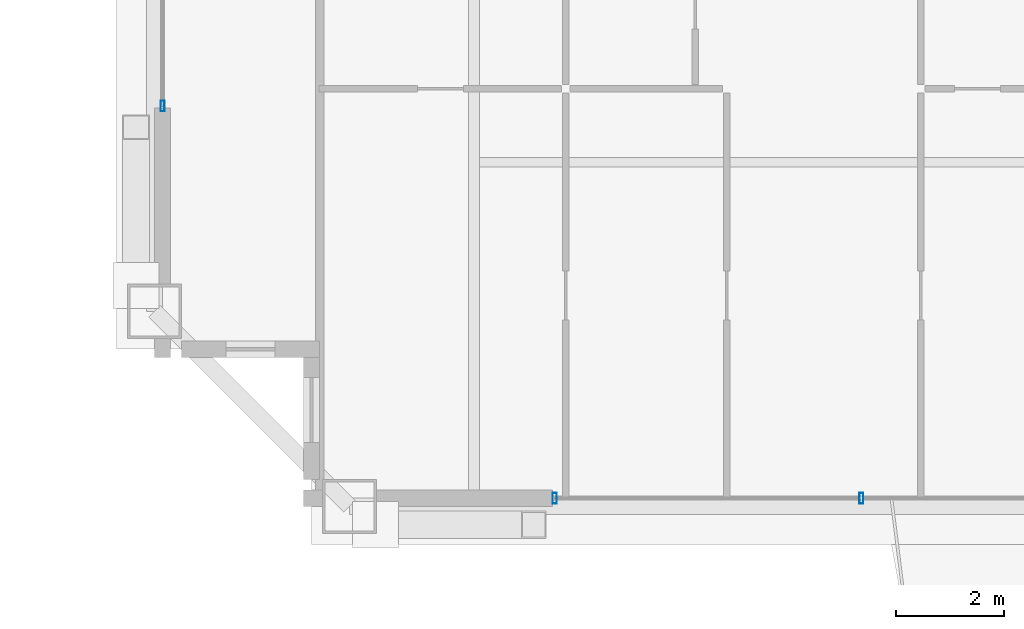
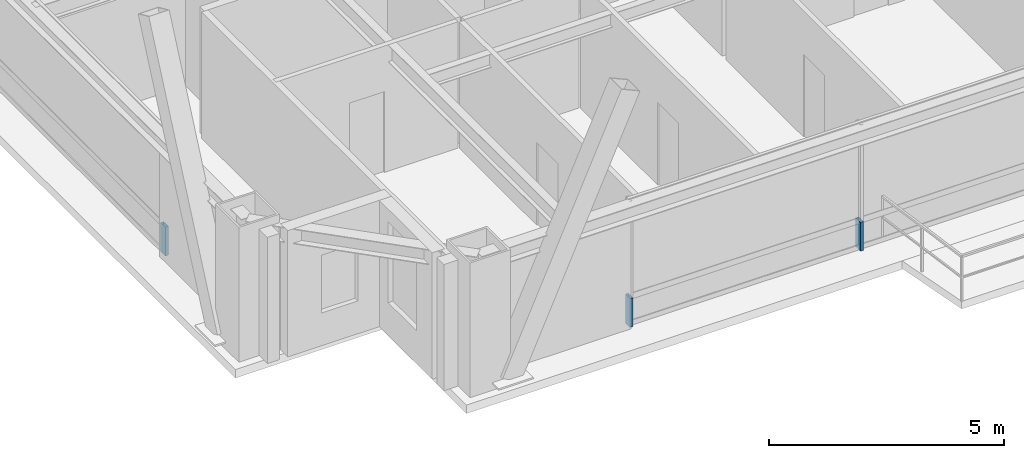
# One storey, part 19 of 33: 3 members, 2 elements without a shape of their own.
"""IFC4 building model written with IfcOpenShell, lengths in metres."""

from ifc_helpers import new_model, si_unit, direction, frame, origin, origin_2d, place, context, subcontext, project, spatial, hollow_rectangle, extrude, source, transform, mapped, material, layer, layer_set, material_profile, profile_set, type_object, element, aggregate, save


model = new_model("IFC4")

# Units and contexts
model_context = context("Model", 3, precision=1e-05, world=origin(), true_north=direction((0.0, 1.0)))
body_context = subcontext(model_context, "Body", "Model", "MODEL_VIEW")
ifc_project = project(units=[si_unit("LENGTHUNIT", "METRE"), si_unit("AREAUNIT", "SQUARE_METRE"), si_unit("VOLUMEUNIT", "CUBIC_METRE"), si_unit("PLANEANGLEUNIT", "RADIAN"), si_unit("MASSUNIT", "GRAM", prefix="KILO"), si_unit("THERMODYNAMICTEMPERATUREUNIT", "KELVIN"), si_unit("POWERUNIT", "WATT")], contexts=[model_context])

# Site, building, storey
site_placement = place(None, origin())
site = spatial("IfcSite", under=ifc_project, at=site_placement, CompositionType="ELEMENT")
building_placement = place(site_placement, origin())
building = spatial("IfcBuilding", under=site, at=building_placement, Name="Yuzanri Waterfront Tower", CompositionType="ELEMENT")
storey_placement = place(building_placement, frame((0.0, 0.0, 321.699951171875)))
storey = spatial("IfcBuildingStorey", under=building, at=storey_placement, Name="L86", CompositionType="ELEMENT", Elevation=321.699951171875)

# Curtain wall, members
ifc_material_1 = material(Name="Anodized Architectural Bronze", Category="metal")
ifc_layer = layer(ifc_material_1, 0.159912109375)
ifc_layer_set = layer_set([ifc_layer], Name="Anodized Architectural Bronze")
curtain_wall_type = type_object("IfcCurtainWallType", Name="Anodized Bronze High-Rise Penthouse High-Wind Unitized Curtain Wall 6900", PredefinedType="NOTDEFINED", material=ifc_layer_set)
curtain_wall_1_placement = place(storey_placement, origin())
curtain_wall_1 = element("IfcCurtainWall", 1, at=curtain_wall_1_placement, inside=storey, type_object=curtain_wall_type, Name="L86 Curtain Wall CW-L86-SL", PredefinedType="NOTDEFINED")
ifc_material_2 = material(Name="Anodized Architectural Bronze", Category="metal")
ifc_material_profile = material_profile(ifc_material_2, hollow_rectangle(XDim=0.074951171875, YDim=0.199951171875, WallThickness=0.00390625, at=origin_2d()), Name="CWM 75x200")
ifc_profile_set = profile_set([ifc_material_profile], Name="Anodized Architectural Bronze")
member_type = type_object("IfcMemberType", Name="Anodized Bronze Primary Curtain-Wall Mullion 75x200", PredefinedType="MULLION", material=ifc_profile_set)
shared_shape = source(origin(), body_context, "Body", "SweptSolid", [
    extrude(hollow_rectangle(XDim=0.074951171875, YDim=0.199951171875, WallThickness=0.00390625, at=origin_2d()), origin(), (0.0, 0.0, 1.0), 0.751953125),
])
member_1_placement = place(storey_placement, frame((25.2900390625, 6.85009765625, 0.0), z_axis=(0.0, 0.0, 1.0), x_axis=(1.0, 0.0, 0.0)))
member_1 = element("IfcMember", 2, at=member_1_placement, type_object=member_type, Name="CW-L86-SL Lower Mullion 00", PredefinedType="MULLION", context=body_context, shape_type="MappedRepresentation", body=[
    mapped(shared_shape, transform((0.0, 0.0, 0.0), scale=1.0)),
])
member_2_placement = place(storey_placement, frame((30.949951171875, 6.85009765625, 0.0), z_axis=(0.0, 0.0, 1.0), x_axis=(1.0, 0.0, 0.0)))
member_2 = element("IfcMember", 3, at=member_2_placement, type_object=member_type, Name="CW-L86-SL Lower Mullion 01", PredefinedType="MULLION", context=body_context, shape_type="MappedRepresentation", body=[
    mapped(shared_shape, transform((0.0, 0.0, 0.0), scale=1.0)),
])
aggregate(curtain_wall_1, [member_1, member_2])

# Curtain wall, member
curtain_wall_2_placement = place(storey_placement, origin())
curtain_wall_2 = element("IfcCurtainWall", 4, at=curtain_wall_2_placement, inside=storey, type_object=curtain_wall_type, Name="L86 Curtain Wall CW-L86-WL1", PredefinedType="NOTDEFINED")
member_3_placement = place(storey_placement, frame((18.050048828125, 14.090087890625, 0.0), z_axis=(0.0, 0.0, 1.0), x_axis=(1.0, 0.0, 0.0)))
member_3 = element("IfcMember", 5, at=member_3_placement, type_object=member_type, Name="CW-L86-WL1 Lower Mullion 00", PredefinedType="MULLION", context=body_context, shape_type="MappedRepresentation", body=[
    mapped(shared_shape, transform((0.0, 0.0, 0.0), scale=1.0)),
])
aggregate(curtain_wall_2, [member_3])

save(model, "model.ifc")
